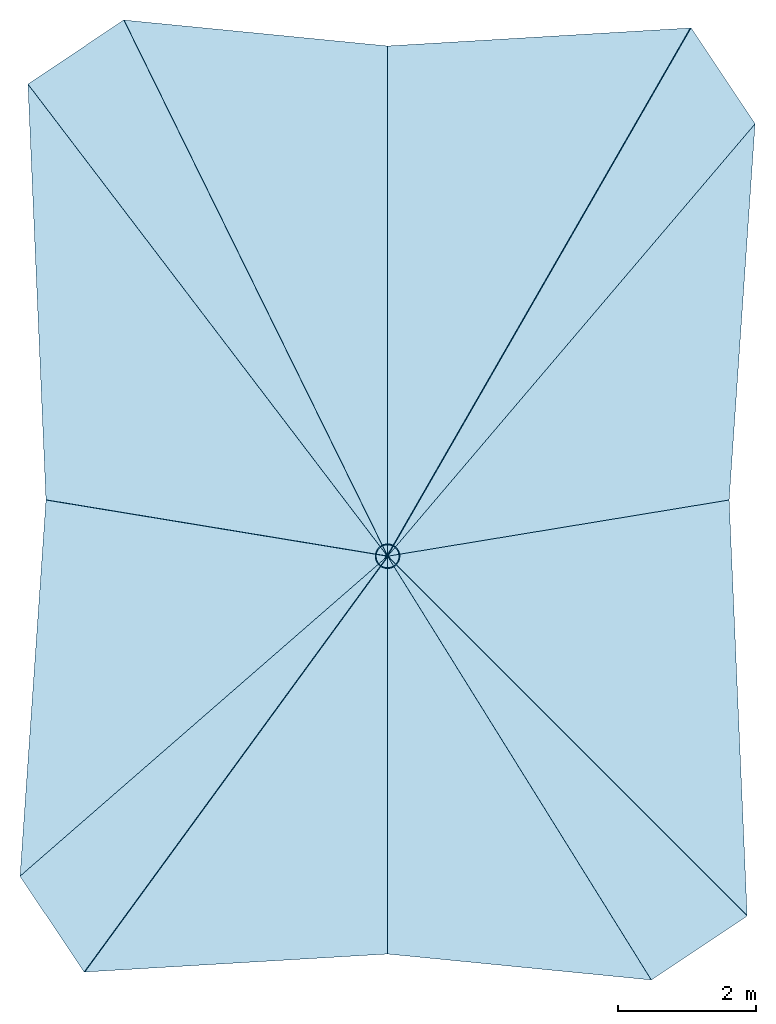
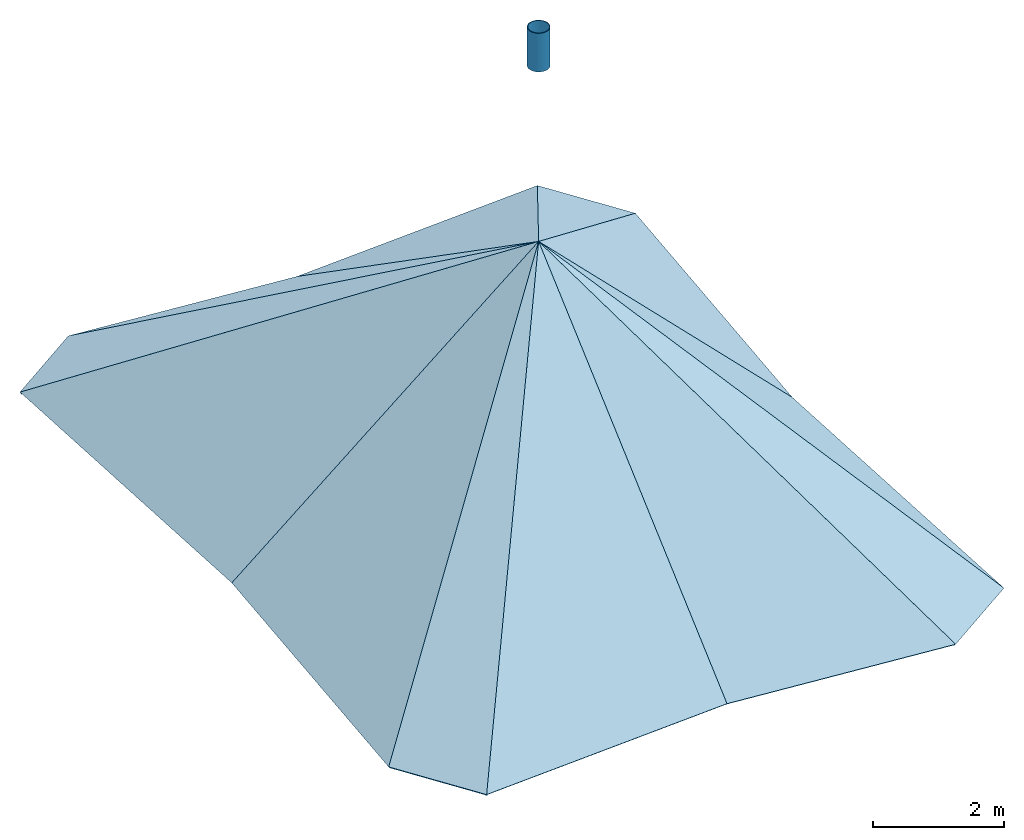
# One storey: 12 plates, 1 member.
"""IFC4 building model written with IfcOpenShell, lengths in metres."""

from ifc_helpers import new_model, si_unit, direction, frame, origin, origin_2d, place, context, subcontext, project, spatial, polyline, hollow_circle, outline, extrude, material, layer, layer_set, material_profile, profile_set, type_object, element, save


model = new_model("IFC4")

# Units and contexts
model_context = context("Model", 3, precision=1e-05, world=origin(), true_north=direction((0.0, 1.0)))
body_context = subcontext(model_context, "Body", "Model", "MODEL_VIEW")
ifc_project = project(units=[si_unit("LENGTHUNIT", "METRE"), si_unit("AREAUNIT", "SQUARE_METRE"), si_unit("VOLUMEUNIT", "CUBIC_METRE"), si_unit("PLANEANGLEUNIT", "RADIAN"), si_unit("MASSUNIT", "GRAM", prefix="KILO")], contexts=[model_context])

# Site, building, storey
site_placement = place(None, origin())
site = spatial("IfcSite", under=ifc_project, at=site_placement, CompositionType="ELEMENT")
building_placement = place(site_placement, origin())
building = spatial("IfcBuilding", under=site, at=building_placement, Name="Verdant Reach Tower", CompositionType="ELEMENT")
storey_placement = place(building_placement, frame((0.0, 0.0, 400.875)))
storey = spatial("IfcBuildingStorey", under=building, at=storey_placement, Name="Roof", CompositionType="ELEMENT", Elevation=400.875)

# Member
ifc_material_1 = material(Name="Bronze anodised aluminium", Category="aluminium")
ifc_material_profile = material_profile(ifc_material_1, hollow_circle(Radius=0.177734375, WallThickness=0.012451171875, at=origin_2d()), Name="CHS 355.6x12.5")
ifc_profile_set = profile_set([ifc_material_profile], Name="Bronze anodised aluminium")
member_type = type_object("IfcMemberType", Name="EN-SPIRE MAST", PredefinedType="USERDEFINED", material=ifc_profile_set)
member_placement = place(storey_placement, frame((0.0, 38.0, 8.405517578125), z_axis=(0.0, 0.0, 1.0), x_axis=(1.0, 0.0, 0.0)))
element("IfcMember", 1, at=member_placement, inside=storey, type_object=member_type, Name="Crown spire mast", ObjectType="MAST", PredefinedType="USERDEFINED", context=body_context, shape_type="SweptSolid", body=[
    extrude(hollow_circle(Radius=0.177734375, WallThickness=0.012451171875, at=origin_2d()), origin(), (0.0, 0.0, 1.0), 0.719482421875),
])

# Plates
ifc_material_2 = material(Name="Bronze anodised aluminium standing-seam cladding", Category="aluminium")
ifc_layer = layer(ifc_material_2, 0.0400390625)
ifc_layer_set = layer_set([ifc_layer], Name="EN-PANEL APEX CAP")
plate_type = type_object("IfcPlateType", Name="EN-PANEL APEX CAP", PredefinedType="SHEET", material=ifc_layer_set)
plate_1_placement = place(storey_placement, frame((3.8125, 31.875, 0.0), z_axis=(0.321877386962, -0.481670458317, 0.815100311217), x_axis=(0.83144132311, 0.555612568456, 0.0)))
element("IfcPlate", 2, at=plate_1_placement, inside=storey, type_object=plate_type, Name="Crown spire cladding 1", PredefinedType="SHEET", context=body_context, shape_type="SweptSolid", body=[
    extrude(outline(polyline([(0.0, 0.0), (1.6666746636039889, 0.0), (0.2332569374359601, 8.84658111651829), (0.0, 0.0)])), origin(), (0.0, 0.0, -1.0), 0.0400390625),
])
plate_2_placement = place(storey_placement, frame((5.1982421875, 32.801025390625, 0.0), z_axis=(0.717339819257, 0.031113955528, 0.696028379795), x_axis=(-0.043333338556, 0.999060669714, 0.0)))
element("IfcPlate", 3, at=plate_2_placement, inside=storey, type_object=plate_type, Name="Crown spire cladding 2", PredefinedType="SHEET", context=body_context, shape_type="SweptSolid", body=[
    extrude(outline(polyline([(0.0, 0.0), (6.01712667869828, 0.0), (5.419348243673861, 7.137741130261013), (0.0, 0.0)])), origin(), (0.0, 0.0, -1.0), 0.0400390625),
])
plate_3_placement = place(storey_placement, frame((4.9375, 38.8125, 0.0), z_axis=(0.723200522687, -0.049875898116, 0.688834812399), x_axis=(0.068802091615, 0.997630328423, 0.0)))
element("IfcPlate", 4, at=plate_3_placement, inside=storey, type_object=plate_type, Name="Crown spire cladding 3", PredefinedType="SHEET", context=body_context, shape_type="SweptSolid", body=[
    extrude(outline(polyline([(0.0, 0.0), (5.450415695155737, 0.0), (-1.1502849691946033, 7.0697618057219564), (0.0, 0.0)])), origin(), (0.0, 0.0, -1.0), 0.0400390625),
])
plate_4_placement = place(storey_placement, frame((5.3125, 44.25, 0.0), z_axis=(0.452924098036, 0.302667565865, 0.838601279507), x_axis=(-0.555612568456, 0.83144132311, 0.0)))
element("IfcPlate", 5, at=plate_4_placement, inside=storey, type_object=plate_type, Name="Crown spire cladding 4", PredefinedType="SHEET", context=body_context, shape_type="SweptSolid", body=[
    extrude(outline(polyline([(0.0, 0.0), (1.6666746636039889, 0.0), (-2.2448164995137057, 9.408059318133098), (0.0, 0.0)])), origin(), (0.0, 0.0, -1.0), 0.0400390625),
])
plate_5_placement = place(storey_placement, frame((4.386474609375, 45.6357421875, 0.0), z_axis=(-0.033901649219, 0.570328587567, 0.820716747962), x_axis=(-0.998237973907, -0.059337572, 0.0)))
element("IfcPlate", 6, at=plate_5_placement, inside=storey, type_object=plate_type, Name="Crown spire cladding 5", PredefinedType="SHEET", context=body_context, shape_type="SweptSolid", body=[
    extrude(outline(polyline([(0.0, 0.0), (4.394217334979444, 2.7755575615628914e-17), (4.831831928482815, 8.970214237550454), (0.0, 0.0)])), origin(), (0.0, 0.0, -1.0), 0.0400390625),
])
plate_6_placement = place(storey_placement, frame((0.0, 45.375, 0.0), z_axis=(0.056041945637, 0.569759780647, 0.819898220931), x_axis=(-0.995197410875, 0.097888269922, 0.0)))
element("IfcPlate", 7, at=plate_6_placement, inside=storey, type_object=plate_type, Name="Crown spire cladding 6", PredefinedType="SHEET", context=body_context, shape_type="SweptSolid", body=[
    extrude(outline(polyline([(0.0, 0.0), (3.830898230180489, 0.0), (-0.7219259906754821, 8.951819528117579), (0.0, 0.0)])), origin(), (0.0, 0.0, -1.0), 0.0400390625),
])
plate_7_placement = place(storey_placement, frame((-3.8125, 45.75, 0.0), z_axis=(-0.285362061941, 0.427027435691, 0.858030339074), x_axis=(-0.83144132311, -0.555612568456, 0.0)))
element("IfcPlate", 8, at=plate_7_placement, inside=storey, type_object=plate_type, Name="Crown spire cladding 7", PredefinedType="SHEET", context=body_context, shape_type="SweptSolid", body=[
    extrude(outline(polyline([(0.0, 0.0), (1.6666746636039889, 0.0), (1.1361273611764218, 9.978601899524119), (0.0, 0.0)])), origin(), (0.0, 0.0, -1.0), 0.0400390625),
])
plate_8_placement = place(storey_placement, frame((-5.1982421875, 44.823974609375, 0.0), z_axis=(-0.722281188737, -0.031328282889, 0.690889588203), x_axis=(0.043333338556, -0.999060669714, 0.0)))
element("IfcPlate", 9, at=plate_8_placement, inside=storey, type_object=plate_type, Name="Crown spire cladding 8", PredefinedType="SHEET", context=body_context, shape_type="SweptSolid", body=[
    extrude(outline(polyline([(0.0, 0.0), (6.01712667869828, -2.7755575615628914e-17), (7.042821831959306, 7.088909433232791), (0.0, 0.0)])), origin(), (0.0, 0.0, -1.0), 0.0400390625),
])
plate_9_placement = place(storey_placement, frame((-4.9375, 38.8125, 0.0), z_axis=(-0.715361272616, 0.04933526018, 0.697010962427), x_axis=(-0.068802091615, -0.997630328423, 0.0)))
element("IfcPlate", 10, at=plate_9_placement, inside=storey, type_object=plate_type, Name="Crown spire cladding 9", PredefinedType="SHEET", context=body_context, shape_type="SweptSolid", body=[
    extrude(outline(polyline([(0.0, 0.0), (5.450415695155737, 0.0), (0.4708643144927442, 7.147235430384065), (0.0, 0.0)])), origin(), (0.0, 0.0, -1.0), 0.0400390625),
])
plate_10_placement = place(storey_placement, frame((-5.3125, 33.375, 0.0), z_axis=(-0.49177095134, -0.328627064558, 0.80632845904), x_axis=(0.555612568456, -0.83144132311, 0.0)))
element("IfcPlate", 11, at=plate_10_placement, inside=storey, type_object=plate_type, Name="Crown spire cladding 10", PredefinedType="SHEET", context=body_context, shape_type="SweptSolid", body=[
    extrude(outline(polyline([(0.0, 0.0), (1.6666746636039889, 0.0), (-0.8937243494607494, 8.664881016908483), (0.0, 0.0)])), origin(), (0.0, 0.0, -1.0), 0.0400390625),
])
plate_11_placement = place(storey_placement, frame((-4.386474609375, 31.9892578125, 0.0), z_axis=(0.039520263015, -0.664850716837, 0.745930072549), x_axis=(0.998237973907, 0.059337572, 0.0)))
element("IfcPlate", 12, at=plate_11_placement, inside=storey, type_object=plate_type, Name="Crown spire cladding 11", PredefinedType="SHEET", context=body_context, shape_type="SweptSolid", body=[
    extrude(outline(polyline([(0.0, 0.0), (4.394217334979444, -2.7755575615628914e-17), (4.7354083739820725, 7.69491479321924), (0.0, 0.0)])), origin(), (0.0, 0.0, -1.0), 0.0400390625),
])
plate_12_placement = place(storey_placement, frame((0.0, 32.25, 0.0), z_axis=(-0.065306569505, -0.6639501233, 0.744919650532), x_axis=(0.995197410875, -0.097888269922, 0.0)))
element("IfcPlate", 13, at=plate_12_placement, inside=storey, type_object=plate_type, Name="Crown spire cladding 12", PredefinedType="SHEET", context=body_context, shape_type="SweptSolid", body=[
    extrude(outline(polyline([(0.0, 0.0), (3.830898230180489, 5.551115123125783e-17), (-0.5628575520520708, 7.681882345890098), (0.0, 0.0)])), origin(), (0.0, 0.0, -1.0), 0.0400390625),
])

save(model, "model.ifc")
